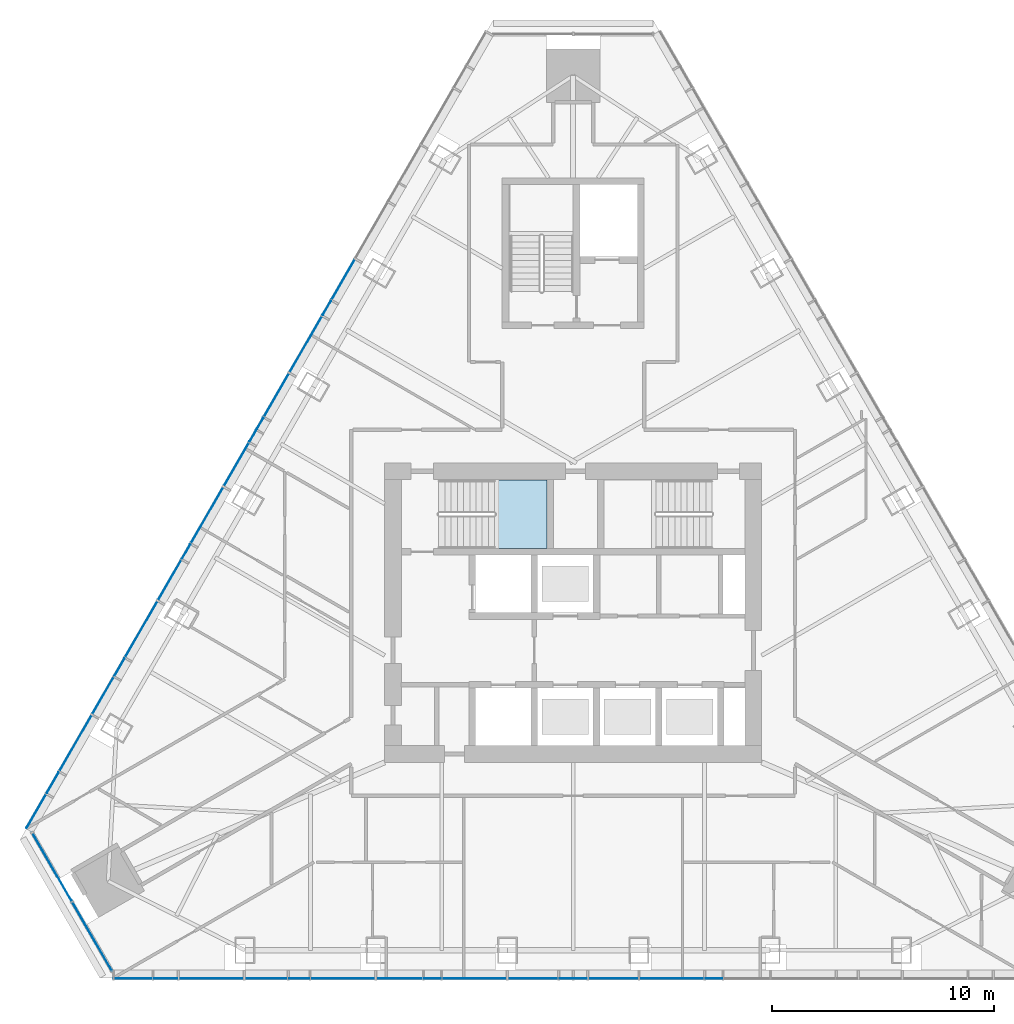
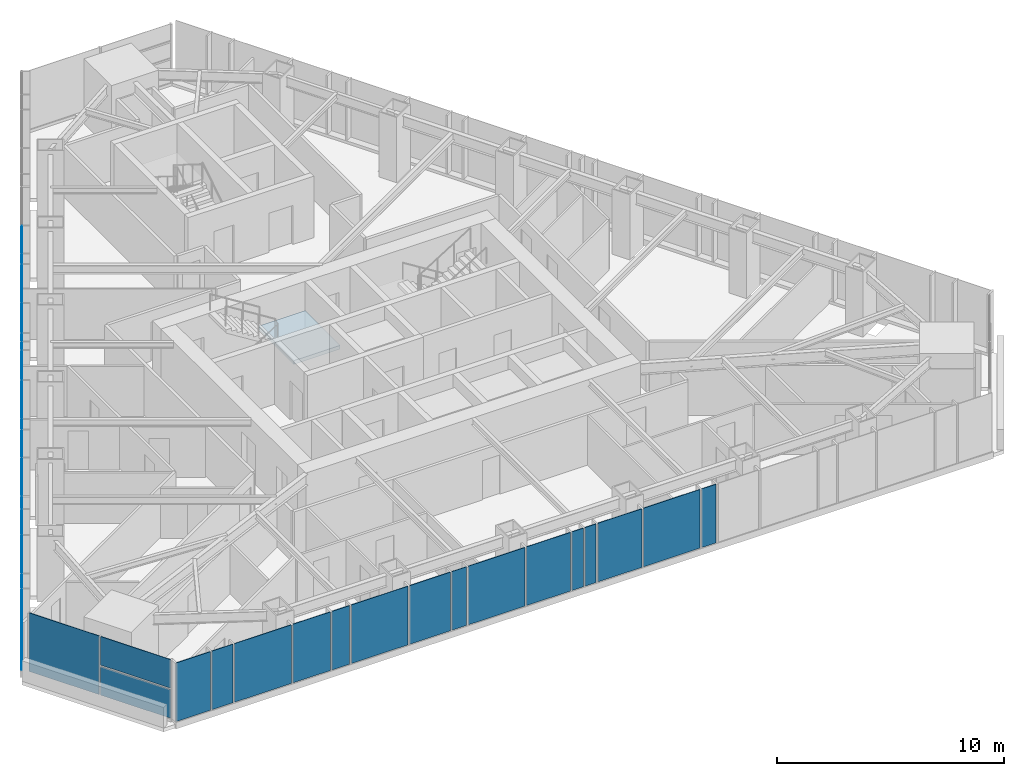
# One storey, part 7 of 15: 34 plates, 1 slab, 4 elements without a shape of their own.
"""IFC4 building model written with IfcOpenShell, lengths in metres."""

from ifc_helpers import new_model, si_unit, direction, frame, origin, place, context, subcontext, project, spatial, polyline, outline, extrude, material, layer, layer_set, type_object, element, aggregate, save


model = new_model("IFC4")

# Units and contexts
model_context = context("Model", 3, precision=1e-05, world=origin(), true_north=direction((0.0, 1.0)))
body_context = subcontext(model_context, "Body", "Model", "MODEL_VIEW")
ifc_project = project(units=[si_unit("LENGTHUNIT", "METRE"), si_unit("AREAUNIT", "SQUARE_METRE"), si_unit("VOLUMEUNIT", "CUBIC_METRE"), si_unit("PLANEANGLEUNIT", "RADIAN"), si_unit("MASSUNIT", "GRAM", prefix="KILO")], contexts=[model_context])

# Site, building, storey
site_placement = place(None, origin())
site = spatial("IfcSite", under=ifc_project, at=site_placement, CompositionType="ELEMENT")
building_placement = place(site_placement, origin())
building = spatial("IfcBuilding", under=site, at=building_placement, Name="Firuza Gate Tower and Library", CompositionType="ELEMENT")
storey_placement = place(building_placement, frame((0.0, 0.0, 309.10009765625)))
storey = spatial("IfcBuildingStorey", under=building, at=storey_placement, Name="L75", CompositionType="ELEMENT", Elevation=309.10009765625)

# Curtain wall, plate
ifc_material_1 = material(Name="Aluminium 6063-T6", Category="aluminium")
ifc_layer_1 = layer(ifc_material_1, 0.14990234375)
ifc_layer_set_1 = layer_set([ifc_layer_1], Name="Corner curtain wall, chamfers")
curtain_wall_type_1 = type_object("IfcCurtainWallType", Name="Corner curtain wall, chamfers", PredefinedType="NOTDEFINED", material=ifc_layer_set_1)
placement = place(storey_placement, origin())
curtain_wall_1 = element("IfcCurtainWall", 1, at=placement, inside=storey, type_object=curtain_wall_type_1, Name="CW4 L75 SW corner", PredefinedType="NOTDEFINED")
ifc_material_2 = material(Name="Fritted glass", Category="glass")
ifc_layer_2 = layer(ifc_material_2, 0.030029296875)
ifc_layer_set_2 = layer_set([ifc_layer_2], Name="Fritted glass unit, corners")
plate_type_1 = type_object("IfcPlateType", Name="Fritted glass unit, corners", PredefinedType="CURTAIN_PANEL", material=ifc_layer_set_2)
plate_1_placement = place(storey_placement, frame((52.422119140625, 61.91845703125, 0.14990234375), z_axis=(-0.866046390552, -0.49996364809, 0.0), x_axis=(0.49996364809, -0.866046390552, 0.0)))
plate_1 = element("IfcPlate", 2, at=plate_1_placement, type_object=plate_type_1, Name="Glass unit", PredefinedType="CURTAIN_PANEL", context=body_context, shape_type="SweptSolid", body=[
    extrude(outline(polyline([(0.0, 0.0), (3.563247342942594, 0.0), (3.563247342942594, 1.534912109375), (0.0, 1.534912109375), (0.0, 0.0)])), origin(), (0.0, 0.0, -1.0), 0.030029296875),
])

# Curtain wall, plates
ifc_material_3 = material(Name="Aluminium 6063-T6", Category="aluminium")
ifc_layer_3 = layer(ifc_material_3, 0.14990234375)
ifc_layer_set_3 = layer_set([ifc_layer_3], Name="Unitised curtain wall, residences")
curtain_wall_type_2 = type_object("IfcCurtainWallType", Name="Unitised curtain wall, residences", PredefinedType="NOTDEFINED", material=ifc_layer_set_3)
curtain_wall_2 = element("IfcCurtainWall", 3, at=placement, inside=storey, type_object=curtain_wall_type_2, Name="CW3 L75 S face", PredefinedType="NOTDEFINED")
ifc_material_4 = material(Name="Fritted glass", Category="glass")
ifc_layer_4 = layer(ifc_material_4, 0.030029296875)
ifc_layer_set_4 = layer_set([ifc_layer_4], Name="Fritted glass unit, residences")
plate_type_2 = type_object("IfcPlateType", Name="Fritted glass unit, residences", PredefinedType="CURTAIN_PANEL", material=ifc_layer_set_4)
plate_2_placement = place(storey_placement, frame((56.0986328125, 58.50048828125, 0.14990234375), z_axis=(0.0, -1.0, 0.0), x_axis=(1.0, 0.0, 0.0)))
plate_2 = element("IfcPlate", 4, at=plate_2_placement, type_object=plate_type_2, Name="Glass unit", PredefinedType="CURTAIN_PANEL", context=body_context, shape_type="SweptSolid", body=[
    extrude(outline(polyline([(0.0, 0.0), (1.064208984375, 0.0), (1.064208984375, 3.14990234375), (0.0, 3.14990234375), (0.0, 0.0)])), origin(), (0.0, 0.0, -1.0), 0.030029296875),
])
plate_3_placement = place(storey_placement, frame((62.194580078125, 58.50048828125, 0.14990234375), z_axis=(0.0, -1.0, 0.0), x_axis=(1.0, 0.0, 0.0)))
plate_3 = element("IfcPlate", 5, at=plate_3_placement, type_object=plate_type_2, Name="Glass unit", PredefinedType="CURTAIN_PANEL", context=body_context, shape_type="SweptSolid", body=[
    extrude(outline(polyline([(0.0, 0.0), (0.900634765625, 0.0), (0.900634765625, 3.14990234375), (0.0, 3.14990234375), (0.0, 0.0)])), origin(), (0.0, 0.0, -1.0), 0.030029296875),
])
plate_4_placement = place(storey_placement, frame((68.29052734375, 58.50048828125, 0.14990234375), z_axis=(0.0, -1.0, 0.0), x_axis=(1.0, 0.0, 0.0)))
plate_4 = element("IfcPlate", 6, at=plate_4_placement, type_object=plate_type_2, Name="Glass unit", PredefinedType="CURTAIN_PANEL", context=body_context, shape_type="SweptSolid", body=[
    extrude(outline(polyline([(0.0, 0.0), (0.737060546875, 0.0), (0.737060546875, 3.14990234375), (0.0, 3.14990234375), (0.0, 0.0)])), origin(), (0.0, 0.0, -1.0), 0.030029296875),
])
plate_5_placement = place(storey_placement, frame((74.38671875, 58.50048828125, 0.14990234375), z_axis=(0.0, -1.0, 0.0), x_axis=(1.0, 0.0, 0.0)))
plate_5 = element("IfcPlate", 7, at=plate_5_placement, type_object=plate_type_2, Name="Glass unit", PredefinedType="CURTAIN_PANEL", context=body_context, shape_type="SweptSolid", body=[
    extrude(outline(polyline([(0.0, 0.0), (0.5732421875, 0.0), (0.5732421875, 3.14990234375), (0.0, 3.14990234375), (0.0, 0.0)])), origin(), (0.0, 0.0, -1.0), 0.030029296875),
])
plate_6_placement = place(storey_placement, frame((75.0400390625, 58.50048828125, 0.14990234375), z_axis=(0.0, -1.0, 0.0), x_axis=(1.0, 0.0, 0.0)))
plate_6 = element("IfcPlate", 8, at=plate_6_placement, type_object=plate_type_2, Name="Glass unit", PredefinedType="CURTAIN_PANEL", context=body_context, shape_type="SweptSolid", body=[
    extrude(outline(polyline([(0.0, 0.0), (0.5732421875, 0.0), (0.5732421875, 3.14990234375), (0.0, 3.14990234375), (0.0, 0.0)])), origin(), (0.0, 0.0, -1.0), 0.030029296875),
])
plate_7_placement = place(storey_placement, frame((80.972412109375, 58.50048828125, 0.14990234375), z_axis=(0.0, -1.0, 0.0), x_axis=(1.0, 0.0, 0.0)))
plate_7 = element("IfcPlate", 9, at=plate_7_placement, type_object=plate_type_2, Name="Glass unit", PredefinedType="CURTAIN_PANEL", context=body_context, shape_type="SweptSolid", body=[
    extrude(outline(polyline([(0.0, 0.0), (0.737060546875, 0.0), (0.737060546875, 3.14990234375), (0.0, 3.14990234375), (0.0, 0.0)])), origin(), (0.0, 0.0, -1.0), 0.030029296875),
])

curtain_wall_3 = element("IfcCurtainWall", 10, at=placement, inside=storey, type_object=curtain_wall_type_2, Name="CW3 L75 W face", PredefinedType="NOTDEFINED")
plate_8_placement = place(storey_placement, frame((64.065673828125, 89.060302734375, 0.14990234375), z_axis=(-0.865909711816, 0.50020033085, 0.0), x_axis=(-0.50020033085, -0.865909711816, 0.0)))
plate_8 = element("IfcPlate", 11, at=plate_8_placement, type_object=plate_type_2, Name="Glass unit", PredefinedType="CURTAIN_PANEL", context=body_context, shape_type="SweptSolid", body=[
    extrude(outline(polyline([(0.0, 0.0), (0.7370093960622438, 0.0), (0.7370093960622438, 3.149902343750001), (0.0, 3.149902343750001), (0.0, 0.0)])), origin(), (0.0, 0.0, -1.0), 0.030029296875),
])
plate_9_placement = place(storey_placement, frame((61.017578125, 83.781005859375, 0.14990234375), z_axis=(-0.866086324858, 0.499894466757, 0.0), x_axis=(-0.499894466757, -0.866086324858, 0.0)))
plate_9 = element("IfcPlate", 12, at=plate_9_placement, type_object=plate_type_2, Name="Glass unit", PredefinedType="CURTAIN_PANEL", context=body_context, shape_type="SweptSolid", body=[
    extrude(outline(polyline([(0.0, 0.0), (0.5733632052572107, 0.0), (0.5733632052572107, 3.14990234375), (0.0, 3.14990234375), (0.0, 0.0)])), origin(), (0.0, 0.0, -1.0), 0.030029296875),
])
plate_10_placement = place(storey_placement, frame((60.69091796875, 83.215087890625, 0.14990234375), z_axis=(-0.866086324858, 0.499894466757, 0.0), x_axis=(-0.499894466757, -0.866086324858, 0.0)))
plate_10 = element("IfcPlate", 13, at=plate_10_placement, type_object=plate_type_2, Name="Glass unit", PredefinedType="CURTAIN_PANEL", context=body_context, shape_type="SweptSolid", body=[
    extrude(outline(polyline([(0.0, 0.0), (0.5733632052572107, 0.0), (0.5733632052572107, 3.14990234375), (0.0, 3.14990234375), (0.0, 0.0)])), origin(), (0.0, 0.0, -1.0), 0.030029296875),
])
plate_11_placement = place(storey_placement, frame((57.724609375, 78.07763671875, 0.14990234375), z_axis=(-0.866135954168, 0.499808472214, 0.0), x_axis=(-0.499808472214, -0.866135954168, 0.0)))
plate_11 = element("IfcPlate", 14, at=plate_11_placement, type_object=plate_type_2, Name="Glass unit", PredefinedType="CURTAIN_PANEL", context=body_context, shape_type="SweptSolid", body=[
    extrude(outline(polyline([(0.0, 0.0), (0.7370987560354357, 0.0), (0.7370987560354357, 3.14990234375), (0.0, 3.14990234375), (0.0, 0.0)])), origin(), (0.0, 0.0, -1.0), 0.030029296875),
])
plate_12_placement = place(storey_placement, frame((54.758544921875, 72.93994140625, 0.14990234375), z_axis=(-0.865982457891, 0.500074377092, 0.0), x_axis=(-0.500074377092, -0.865982457891, 0.0)))
plate_12 = element("IfcPlate", 15, at=plate_12_placement, type_object=plate_type_2, Name="Glass unit", PredefinedType="CURTAIN_PANEL", context=body_context, shape_type="SweptSolid", body=[
    extrude(outline(polyline([(0.0, 0.0), (0.9007449166744468, 0.0), (0.9007449166744468, 3.14990234375), (0.0, 3.14990234375), (0.0, 0.0)])), origin(), (0.0, 0.0, -1.0), 0.030029296875),
])
plate_13_placement = place(storey_placement, frame((51.792236328125, 67.802490234375, 0.14990234375), z_axis=(-0.866074799679, 0.49991443404, 0.0), x_axis=(-0.49991443404, -0.866074799679, 0.0)))
plate_13 = element("IfcPlate", 16, at=plate_13_placement, type_object=plate_type_2, Name="Glass unit", PredefinedType="CURTAIN_PANEL", context=body_context, shape_type="SweptSolid", body=[
    extrude(outline(polyline([(0.0, 0.0), (1.0641469532617625, 0.0), (1.0641469532617625, 3.14990234375), (0.0, 3.14990234375), (0.0, 0.0)])), origin(), (0.0, 0.0, -1.0), 0.030029296875),
])

# Plate
ifc_material_5 = material(Name="Glazed ceramic tile")
ifc_layer_5 = layer(ifc_material_5, 0.030029296875)
ifc_layer_set_5 = layer_set([ifc_layer_5], Name="Opaque ceramic panel, corners")
plate_type_3 = type_object("IfcPlateType", Name="Opaque ceramic panel, corners", PredefinedType="CURTAIN_PANEL", material=ifc_layer_set_5)
plate_14_placement = place(storey_placement, frame((50.600341796875, 65.07373046875, 0.14990234375), z_axis=(-0.866016723041, -0.500015035186, 0.0), x_axis=(0.500015035186, -0.866016723041, 0.0)))
plate_14 = element("IfcPlate", 17, at=plate_14_placement, type_object=plate_type_3, Name="Opaque ceramic panel", PredefinedType="CURTAIN_PANEL", context=body_context, shape_type="SweptSolid", body=[
    extrude(outline(polyline([(0.0, 0.0), (3.5633694106530625, 0.0), (3.5633694106530625, 3.14990234375), (0.0, 3.14990234375), (0.0, 0.0)])), origin(), (0.0, 0.0, -1.0), 0.030029296875),
])

plate_15_placement = place(storey_placement, frame((52.422119140625, 61.91845703125, 1.764892578125), z_axis=(-0.866046390552, -0.49996364809, 0.0), x_axis=(0.49996364809, -0.866046390552, 0.0)))
plate_15 = element("IfcPlate", 18, at=plate_15_placement, type_object=plate_type_3, Name="Opaque ceramic panel", PredefinedType="CURTAIN_PANEL", context=body_context, shape_type="SweptSolid", body=[
    extrude(outline(polyline([(0.0, 0.0), (3.563247342942594, 0.0), (3.563247342942594, 1.534912109375), (0.0, 1.534912109375), (0.0, 0.0)])), origin(), (0.0, 0.0, -1.0), 0.030029296875),
])

aggregate(curtain_wall_1, [plate_14, plate_1, plate_15])

ifc_material_6 = material(Name="Glazed ceramic tile")
ifc_layer_6 = layer(ifc_material_6, 0.030029296875)
ifc_layer_set_6 = layer_set([ifc_layer_6], Name="Opaque ceramic panel, residences")
plate_type_4 = type_object("IfcPlateType", Name="Opaque ceramic panel, residences", PredefinedType="CURTAIN_PANEL", material=ifc_layer_set_6)
plate_16_placement = place(storey_placement, frame((54.276611328125, 58.50048828125, 0.14990234375), z_axis=(0.0, -1.0, 0.0), x_axis=(1.0, 0.0, 0.0)))
plate_16 = element("IfcPlate", 19, at=plate_16_placement, type_object=plate_type_4, Name="Opaque ceramic panel", PredefinedType="CURTAIN_PANEL", context=body_context, shape_type="SweptSolid", body=[
    extrude(outline(polyline([(0.0, 0.0), (1.741943359375, 0.0), (1.741943359375, 3.14990234375), (0.0, 3.14990234375), (0.0, 0.0)])), origin(), (0.0, 0.0, -1.0), 0.030029296875),
])

plate_17_placement = place(storey_placement, frame((57.242919921875, 58.50048828125, 0.14990234375), z_axis=(0.0, -1.0, 0.0), x_axis=(1.0, 0.0, 0.0)))
plate_17 = element("IfcPlate", 20, at=plate_17_placement, type_object=plate_type_4, Name="Opaque ceramic panel", PredefinedType="CURTAIN_PANEL", context=body_context, shape_type="SweptSolid", body=[
    extrude(outline(polyline([(0.0, 0.0), (2.88623046875, 0.0), (2.88623046875, 3.14990234375), (0.0, 3.14990234375), (0.0, 0.0)])), origin(), (0.0, 0.0, -1.0), 0.030029296875),
])

plate_18_placement = place(storey_placement, frame((60.208984375, 58.50048828125, 0.14990234375), z_axis=(0.0, -1.0, 0.0), x_axis=(1.0, 0.0, 0.0)))
plate_18 = element("IfcPlate", 21, at=plate_18_placement, type_object=plate_type_4, Name="Opaque ceramic panel", PredefinedType="CURTAIN_PANEL", context=body_context, shape_type="SweptSolid", body=[
    extrude(outline(polyline([(0.0, 0.0), (1.905517578125, 0.0), (1.905517578125, 3.14990234375), (0.0, 3.14990234375), (0.0, 0.0)])), origin(), (0.0, 0.0, -1.0), 0.030029296875),
])

plate_19_placement = place(storey_placement, frame((63.17529296875, 58.50048828125, 0.14990234375), z_axis=(0.0, -1.0, 0.0), x_axis=(1.0, 0.0, 0.0)))
plate_19 = element("IfcPlate", 22, at=plate_19_placement, type_object=plate_type_4, Name="Opaque ceramic panel", PredefinedType="CURTAIN_PANEL", context=body_context, shape_type="SweptSolid", body=[
    extrude(outline(polyline([(0.0, 0.0), (2.88623046875, 0.0), (2.88623046875, 3.14990234375), (0.0, 3.14990234375), (0.0, 0.0)])), origin(), (0.0, 0.0, -1.0), 0.030029296875),
])

plate_20_placement = place(storey_placement, frame((66.141357421875, 58.50048828125, 0.14990234375), z_axis=(0.0, -1.0, 0.0), x_axis=(1.0, 0.0, 0.0)))
plate_20 = element("IfcPlate", 23, at=plate_20_placement, type_object=plate_type_4, Name="Opaque ceramic panel", PredefinedType="CURTAIN_PANEL", context=body_context, shape_type="SweptSolid", body=[
    extrude(outline(polyline([(0.0, 0.0), (2.0693359375, 0.0), (2.0693359375, 3.14990234375), (0.0, 3.14990234375), (0.0, 0.0)])), origin(), (0.0, 0.0, -1.0), 0.030029296875),
])

plate_21_placement = place(storey_placement, frame((69.107666015625, 58.50048828125, 0.14990234375), z_axis=(0.0, -1.0, 0.0), x_axis=(1.0, 0.0, 0.0)))
plate_21 = element("IfcPlate", 24, at=plate_21_placement, type_object=plate_type_4, Name="Opaque ceramic panel", PredefinedType="CURTAIN_PANEL", context=body_context, shape_type="SweptSolid", body=[
    extrude(outline(polyline([(0.0, 0.0), (2.88623046875, 0.0), (2.88623046875, 3.14990234375), (0.0, 3.14990234375), (0.0, 0.0)])), origin(), (0.0, 0.0, -1.0), 0.030029296875),
])

plate_22_placement = place(storey_placement, frame((72.07373046875, 58.50048828125, 0.14990234375), z_axis=(0.0, -1.0, 0.0), x_axis=(1.0, 0.0, 0.0)))
plate_22 = element("IfcPlate", 25, at=plate_22_placement, type_object=plate_type_4, Name="Opaque ceramic panel", PredefinedType="CURTAIN_PANEL", context=body_context, shape_type="SweptSolid", body=[
    extrude(outline(polyline([(0.0, 0.0), (2.23291015625, 0.0), (2.23291015625, 3.14990234375), (0.0, 3.14990234375), (0.0, 0.0)])), origin(), (0.0, 0.0, -1.0), 0.030029296875),
])

plate_23_placement = place(storey_placement, frame((75.693359375, 58.50048828125, 0.14990234375), z_axis=(0.0, -1.0, 0.0), x_axis=(1.0, 0.0, 0.0)))
plate_23 = element("IfcPlate", 26, at=plate_23_placement, type_object=plate_type_4, Name="Opaque ceramic panel", PredefinedType="CURTAIN_PANEL", context=body_context, shape_type="SweptSolid", body=[
    extrude(outline(polyline([(0.0, 0.0), (2.23291015625, 0.0), (2.23291015625, 3.14990234375), (0.0, 3.14990234375), (0.0, 0.0)])), origin(), (0.0, 0.0, -1.0), 0.030029296875),
])

plate_24_placement = place(storey_placement, frame((78.006103515625, 58.50048828125, 0.14990234375), z_axis=(0.0, -1.0, 0.0), x_axis=(1.0, 0.0, 0.0)))
plate_24 = element("IfcPlate", 27, at=plate_24_placement, type_object=plate_type_4, Name="Opaque ceramic panel", PredefinedType="CURTAIN_PANEL", context=body_context, shape_type="SweptSolid", body=[
    extrude(outline(polyline([(0.0, 0.0), (2.88623046875, 0.0), (2.88623046875, 3.14990234375), (0.0, 3.14990234375), (0.0, 0.0)])), origin(), (0.0, 0.0, -1.0), 0.030029296875),
])

aggregate(curtain_wall_2, [plate_16, plate_2, plate_17, plate_18, plate_3, plate_19, plate_20, plate_4, plate_21, plate_22, plate_5, plate_6, plate_23, plate_24, plate_7])

plate_25_placement = place(storey_placement, frame((65.14013671875, 90.921630859375, 0.14990234375), z_axis=(-0.866063770229, 0.49993354148, 0.0), x_axis=(-0.49993354148, -0.866063770229, 0.0)))
plate_25 = element("IfcPlate", 28, at=plate_25_placement, type_object=plate_type_4, Name="Opaque ceramic panel", PredefinedType="CURTAIN_PANEL", context=body_context, shape_type="SweptSolid", body=[
    extrude(outline(polyline([(0.0, 0.0), (2.069122677912988, 0.0), (2.069122677912988, 3.14990234375), (0.0, 3.14990234375), (0.0, 0.0)])), origin(), (0.0, 0.0, -1.0), 0.030029296875),
])

plate_26_placement = place(storey_placement, frame((63.656982421875, 88.352783203125, 0.14990234375), z_axis=(-0.866058810152, 0.49994213401, 0.0), x_axis=(-0.49994213401, -0.866058810152, 0.0)))
plate_26 = element("IfcPlate", 29, at=plate_26_placement, type_object=plate_type_4, Name="Opaque ceramic panel", PredefinedType="CURTAIN_PANEL", context=body_context, shape_type="SweptSolid", body=[
    extrude(outline(polyline([(0.0, 0.0), (2.8860761988117885, 0.0), (2.8860761988117885, 3.14990234375), (0.0, 3.14990234375), (0.0, 0.0)])), origin(), (0.0, 0.0, -1.0), 0.030029296875),
])

plate_27_placement = place(storey_placement, frame((62.174072265625, 85.783935546875, 0.14990234375), z_axis=(-0.866007133326, 0.500031644028, 0.0), x_axis=(-0.500031644028, -0.866007133326, 0.0)))
plate_27 = element("IfcPlate", 30, at=plate_27_placement, type_object=plate_type_4, Name="Opaque ceramic panel", PredefinedType="CURTAIN_PANEL", context=body_context, shape_type="SweptSolid", body=[
    extrude(outline(polyline([(0.0, 0.0), (2.232768848651862, 0.0), (2.232768848651862, 3.14990234375), (0.0, 3.14990234375), (0.0, 0.0)])), origin(), (0.0, 0.0, -1.0), 0.030029296875),
])

plate_28_placement = place(storey_placement, frame((60.3642578125, 82.6494140625, 0.14990234375), z_axis=(-0.866034468987, 0.49998429828, 0.0), x_axis=(-0.49998429828, -0.866034468987, 0.0)))
plate_28 = element("IfcPlate", 31, at=plate_28_placement, type_object=plate_type_4, Name="Opaque ceramic panel", PredefinedType="CURTAIN_PANEL", context=body_context, shape_type="SweptSolid", body=[
    extrude(outline(polyline([(0.0, 0.0), (2.2329802795116778, 0.0), (2.2329802795116778, 3.149902343750001), (0.0, 3.149902343750001), (0.0, 0.0)])), origin(), (0.0, 0.0, -1.0), 0.030029296875),
])

plate_29_placement = place(storey_placement, frame((59.207763671875, 80.646484375, 0.14990234375), z_axis=(-0.866022182542, 0.500005579313, 0.0), x_axis=(-0.500005579313, -0.866022182542, 0.0)))
plate_29 = element("IfcPlate", 32, at=plate_29_placement, type_object=plate_type_4, Name="Opaque ceramic panel", PredefinedType="CURTAIN_PANEL", context=body_context, shape_type="SweptSolid", body=[
    extrude(outline(polyline([(0.0, 0.0), (2.886198262741801, 0.0), (2.886198262741801, 3.14990234375), (0.0, 3.14990234375), (0.0, 0.0)])), origin(), (0.0, 0.0, -1.0), 0.030029296875),
])

plate_30_placement = place(storey_placement, frame((57.316162109375, 77.3701171875, 0.14990234375), z_axis=(-0.866063770229, 0.49993354148, 0.0), x_axis=(-0.49993354148, -0.866063770229, 0.0)))
plate_30 = element("IfcPlate", 33, at=plate_30_placement, type_object=plate_type_4, Name="Opaque ceramic panel", PredefinedType="CURTAIN_PANEL", context=body_context, shape_type="SweptSolid", body=[
    extrude(outline(polyline([(0.0, 0.0), (2.069122677912988, 0.0), (2.069122677912988, 3.14990234375), (0.0, 3.14990234375), (0.0, 0.0)])), origin(), (0.0, 0.0, -1.0), 0.030029296875),
])

plate_31_placement = place(storey_placement, frame((56.24169921875, 75.5087890625, 0.14990234375), z_axis=(-0.866022182542, 0.500005579313, 0.0), x_axis=(-0.500005579313, -0.866022182542, 0.0)))
plate_31 = element("IfcPlate", 34, at=plate_31_placement, type_object=plate_type_4, Name="Opaque ceramic panel", PredefinedType="CURTAIN_PANEL", context=body_context, shape_type="SweptSolid", body=[
    extrude(outline(polyline([(0.0, 0.0), (2.886198262741801, 0.0), (2.886198262741801, 3.14990234375), (0.0, 3.14990234375), (0.0, 0.0)])), origin(), (0.0, 0.0, -1.0), 0.030029296875),
])

plate_32_placement = place(storey_placement, frame((54.268310546875, 72.0908203125, 0.14990234375), z_axis=(-0.866019180744, 0.500010778468, 0.0), x_axis=(-0.500010778468, -0.866019180744, 0.0)))
plate_32 = element("IfcPlate", 35, at=plate_32_placement, type_object=plate_type_4, Name="Opaque ceramic panel", PredefinedType="CURTAIN_PANEL", context=body_context, shape_type="SweptSolid", body=[
    extrude(outline(polyline([(0.0, 0.0), (1.9057206372527769, 0.0), (1.9057206372527769, 3.14990234375), (0.0, 3.14990234375), (0.0, 0.0)])), origin(), (0.0, 0.0, -1.0), 0.030029296875),
])

plate_33_placement = place(storey_placement, frame((53.275390625, 70.37109375, 0.14990234375), z_axis=(-0.866022182542, 0.500005579313, 0.0), x_axis=(-0.500005579313, -0.866022182542, 0.0)))
plate_33 = element("IfcPlate", 36, at=plate_33_placement, type_object=plate_type_4, Name="Opaque ceramic panel", PredefinedType="CURTAIN_PANEL", context=body_context, shape_type="SweptSolid", body=[
    extrude(outline(polyline([(0.0, 0.0), (2.886198262741801, 0.0), (2.886198262741801, 3.14990234375), (0.0, 3.14990234375), (0.0, 0.0)])), origin(), (0.0, 0.0, -1.0), 0.030029296875),
])

plate_34_placement = place(storey_placement, frame((51.22021484375, 66.8115234375, 0.14990234375), z_axis=(-0.86605255055, 0.499952977474, 0.0), x_axis=(-0.499952977474, -0.86605255055, 0.0)))
plate_34 = element("IfcPlate", 37, at=plate_34_placement, type_object=plate_type_4, Name="Opaque ceramic panel", PredefinedType="CURTAIN_PANEL", context=body_context, shape_type="SweptSolid", body=[
    extrude(outline(polyline([(0.0, 0.0), (1.741863032348824, 0.0), (1.741863032348824, 3.14990234375), (0.0, 3.14990234375), (0.0, 0.0)])), origin(), (0.0, 0.0, -1.0), 0.030029296875),
])

aggregate(curtain_wall_3, [plate_25, plate_8, plate_26, plate_27, plate_9, plate_10, plate_28, plate_29, plate_11, plate_30, plate_31, plate_12, plate_32, plate_33, plate_13, plate_34])

# Stair, slab
ifc_material_7 = material(Name="Concrete C35/45", Category="concrete")
stair_type = type_object("IfcStairType", Name="Exit stair ST8", PredefinedType="HALF_TURN_STAIR", material=ifc_material_7)
stair = element("IfcStair", 38, at=placement, inside=storey, type_object=stair_type, Name="L75 Stair ST1", PredefinedType="HALF_TURN_STAIR")
ifc_material_8 = material(Name="Concrete C35/45", Category="concrete")
ifc_layer_7 = layer(ifc_material_8, 0.199951171875)
ifc_layer_set_7 = layer_set([ifc_layer_7], Name="Stair landing 200")
slab_type = type_object("IfcSlabType", Name="Stair landing 200", PredefinedType="LANDING", material=ifc_layer_set_7)
slab_placement = place(storey_placement, frame((0.0, 0.0, 1.5498046875)))
slab = element("IfcSlab", 39, at=slab_placement, type_object=slab_type, Name="ST1 landing 1", PredefinedType="LANDING", context=body_context, shape_type="SweptSolid", body=[
    extrude(outline(polyline([(71.4599609375, 77.89990234375), (73.81005859375, 77.89990234375), (73.81005859375, 80.97998046875), (71.4599609375, 80.97998046875), (71.4599609375, 77.89990234375)])), origin(), (0.0, 0.0, 1.0), 0.2001953125),
])
aggregate(stair, [slab])

save(model, "model.ifc")
